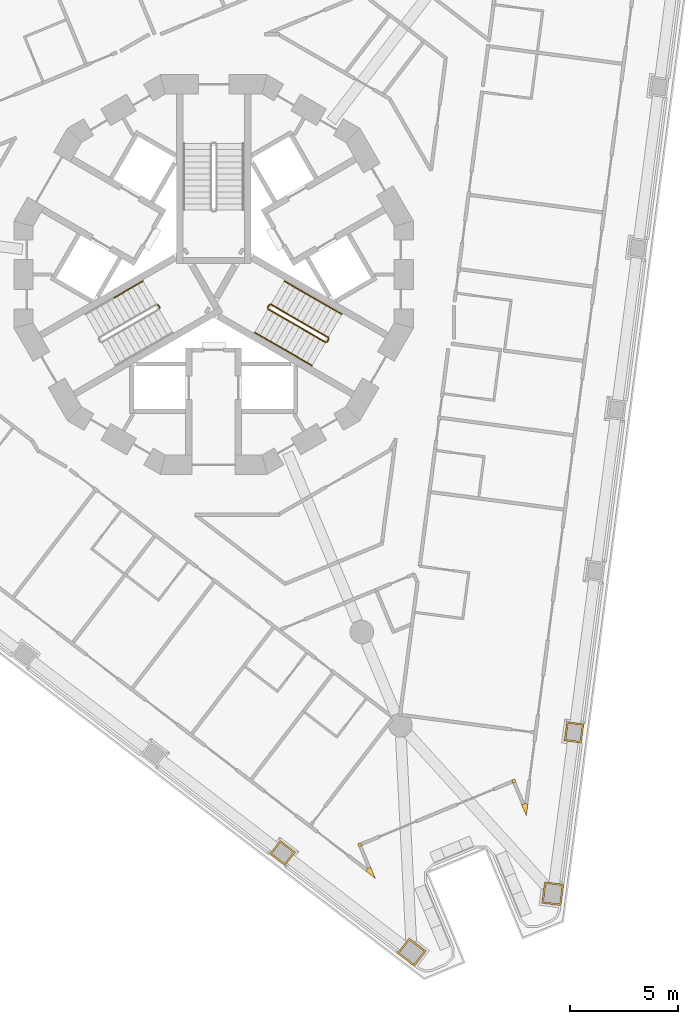
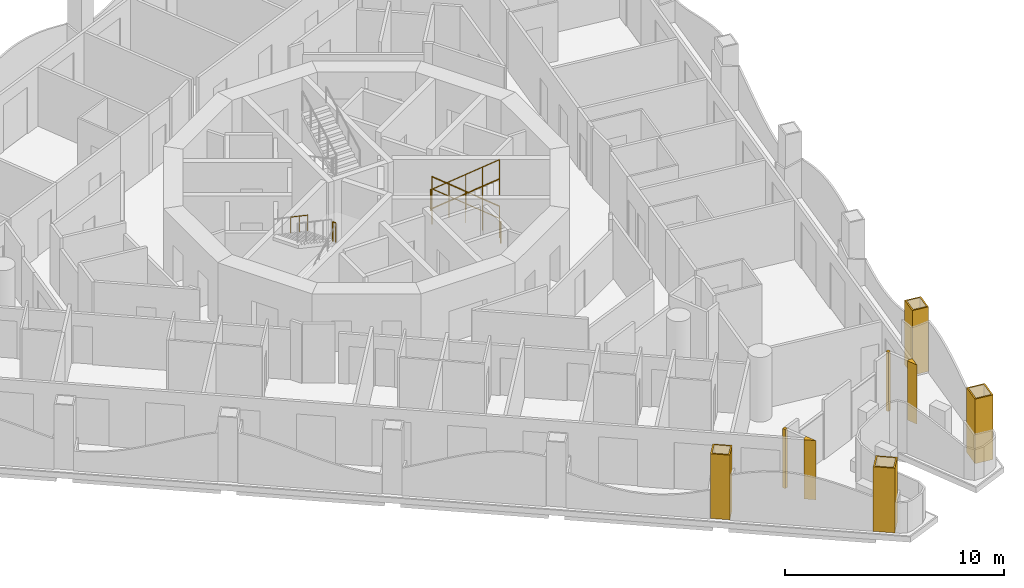
# One storey, part 13 of 17: 10 railings, 8 coverings.
"""IFC4 building model written with IfcOpenShell, lengths in metres."""

import ifcopenshell
import ifcopenshell.guid

model = None  # the IFC model being written
_history = None  # IfcOwnerHistory: only IFC2X3 demands one
_inside = {}  # id of a spatial element -> (the spatial element, [elements in it])
_under = {}  # id of a project, library or spatial element -> (it, [spatial elements below it])
_declared = {}  # id of a project -> (the project, [libraries it declares])
_typed = {}  # id of a type object -> (the type object, [elements of that type])
_made_of = {}  # id of a material, layer set ... -> (it, [elements and type objects made of it])


def new_model(schema):
    """Start an empty IFC model of exactly this schema.

    Asked for "IFC4X3", IfcOpenShell would pick the latest addendum, in which some entities
    have other attributes; the version numbers below select the first issue.
    IFC2X3 requires an IfcOwnerHistory on every rooted entity: one is made here for all.
    """
    global model, _history
    if schema == "IFC4X3":
        model = ifcopenshell.file(schema_version=(4, 3, 0, 0))
    else:
        model = ifcopenshell.file(schema=schema)
    _inside.clear()
    _under.clear()
    _declared.clear()
    _typed.clear()
    _made_of.clear()
    _history = None
    if model.schema == "IFC2X3":
        org = make("IfcOrganization", Name="unknown")
        user = make(
            "IfcPersonAndOrganization",
            ThePerson=make("IfcPerson", FamilyName="unknown"),
            TheOrganization=org,
        )
        app = make(
            "IfcApplication",
            ApplicationDeveloper=org,
            Version="unknown",
            ApplicationFullName="unknown",
            ApplicationIdentifier="unknown",
        )
        _history = make(
            "IfcOwnerHistory",
            OwningUser=user,
            OwningApplication=app,
            ChangeAction="ADDED",
            CreationDate=0,
        )
    return model


def make(cls, **values):
    """One entity of the class cls with the attributes given. An attribute that is None is left unset."""
    return model.create_entity(
        cls, **{name: value for name, value in values.items() if value is not None}
    )


def rooted(cls, **values):
    """An entity with a GlobalId (a new one), such as an element, a storey or a relation."""
    return make(cls, GlobalId=ifcopenshell.guid.new(), OwnerHistory=_history, **values)


def si_unit(unit_type, name, prefix=None):
    """IfcSIUnit, for example si_unit("LENGTHUNIT", "METRE", prefix="MILLI")."""
    return make("IfcSIUnit", UnitType=unit_type, Prefix=prefix, Name=name)


def assignment(units):
    """IfcUnitAssignment: the units of a project."""
    return None if units is None else make("IfcUnitAssignment", Units=units)


def point(xyz):
    """IfcCartesianPoint."""
    return None if xyz is None else make("IfcCartesianPoint", Coordinates=xyz)


def direction(xyz):
    """IfcDirection."""
    return None if xyz is None else make("IfcDirection", DirectionRatios=xyz)


def frame(location, z_axis=None, x_axis=None):
    """IfcAxis2Placement3D, a coordinate frame: its origin and axes. An axis left out is left unset."""
    return make(
        "IfcAxis2Placement3D",
        Location=point(location),
        Axis=direction(z_axis),
        RefDirection=direction(x_axis),
    )


def frame_2d(location, x_axis=None):
    """IfcAxis2Placement2D, a coordinate frame in the plane: its origin and x axis."""
    return make(
        "IfcAxis2Placement2D", Location=point(location), RefDirection=direction(x_axis)
    )


def origin():
    """The frame at (0, 0, 0) with its axes left unset."""
    return frame((0.0, 0.0, 0.0))


def origin_2d():
    """The frame at (0, 0) in the plane with its x axis left unset."""
    return frame_2d((0.0, 0.0))


def place(relative_to, where):
    """IfcLocalPlacement: puts the frame where relative to a parent placement (None: the world)."""
    return make(
        "IfcLocalPlacement", PlacementRelTo=relative_to, RelativePlacement=where
    )


def context(
    kind, dimensions, precision=None, world=None, true_north=None, identifier=None
):
    """IfcGeometricRepresentationContext, for example the 3D "Model" context."""
    return make(
        "IfcGeometricRepresentationContext",
        ContextIdentifier=identifier,
        ContextType=kind,
        CoordinateSpaceDimension=dimensions,
        Precision=precision,
        WorldCoordinateSystem=world,
        TrueNorth=true_north,
    )


def subcontext(parent, identifier, kind, view, scale=None):
    """IfcGeometricRepresentationSubContext, for example "Body" below "Model"."""
    return make(
        "IfcGeometricRepresentationSubContext",
        ContextIdentifier=identifier,
        ContextType=kind,
        ParentContext=parent,
        TargetScale=scale,
        TargetView=view,
    )


def project(units=None, contexts=None):
    """IfcProject with its units and contexts."""
    return rooted(
        "IfcProject",
        Name="project",
        RepresentationContexts=contexts,
        UnitsInContext=assignment(units),
    )


def spatial(cls, under=None, at=None, **own):
    """A site, building, storey or space (cls), placed at a placement, below another one or the project."""
    s = rooted(cls, ObjectPlacement=at, **own)
    if under is not None:
        _under.setdefault(under.id(), (under, []))[1].append(s)
    return s


def polyline(points):
    """IfcPolyline through the points."""
    return make("IfcPolyline", Points=[point(p) for p in points])


def profile(cls, at=None, kind="AREA", **sizes):
    """A parametric profile (cls). Its sizes go by their IFC names, for example OverallWidth=200.0."""
    return make(cls, ProfileType=kind, Position=at, **sizes)


def circle(**sizes):
    """IfcCircleProfileDef."""
    return profile("IfcCircleProfileDef", **sizes)


def outline(outer, holes=None, kind="AREA"):
    """IfcArbitraryClosedProfileDef: a profile drawn as a closed curve; with holes, ...WithVoids."""
    if holes is None:
        return make("IfcArbitraryClosedProfileDef", ProfileType=kind, OuterCurve=outer)
    return make(
        "IfcArbitraryProfileDefWithVoids",
        ProfileType=kind,
        OuterCurve=outer,
        InnerCurves=holes,
    )


def extrude(swept, where, along, depth):
    """IfcExtrudedAreaSolid: the profile swept, set in the frame where, extruded along a direction by depth."""
    return make(
        "IfcExtrudedAreaSolid",
        SweptArea=swept,
        Position=where,
        ExtrudedDirection=direction(along),
        Depth=depth,
    )


def shape(context_of_items, identifier, shape_type, items):
    """IfcShapeRepresentation: the items that make up one representation, for example the "Body"."""
    return make(
        "IfcShapeRepresentation",
        ContextOfItems=context_of_items,
        RepresentationIdentifier=identifier,
        RepresentationType=shape_type,
        Items=items,
    )


def material(Name=None, Category=None):
    """IfcMaterial."""
    return make("IfcMaterial", Name=Name, Category=Category)


def layer(
    of_material, thickness, ventilated=None, Name=None, Category=None, Priority=None
):
    """IfcMaterialLayer: one layer of a wall or slab, of a material (None: an air gap)."""
    return make(
        "IfcMaterialLayer",
        Material=of_material,
        LayerThickness=thickness,
        IsVentilated=ventilated,
        Name=Name,
        Category=Category,
        Priority=Priority,
    )


def layer_set(layers, Name=None):
    """IfcMaterialLayerSet."""
    return make("IfcMaterialLayerSet", MaterialLayers=layers, LayerSetName=Name)


def made_of(thing, what):
    """Note that an element or type object is made of a material, layer set ...; save() writes the relation."""
    if what is not None:
        _made_of.setdefault(what.id(), (what, []))[1].append(thing)
    return thing


def type_object(cls, material=None, **own):
    """A type object (cls), such as IfcWallType, which elements share."""
    return made_of(rooted(cls, **own), material)


def element(
    cls,
    number,
    at=None,
    inside=None,
    cuts=None,
    type_object=None,
    material=None,
    context=None,
    identifier="Body",
    shape_type=None,
    held_by="IfcProductDefinitionShape",
    body=None,
    shapes=None,
    **own,
):
    """One element of the class cls, such as IfcWall. Its Tag is "e" and its number.

    at: its placement. inside: the storey or other place that contains it. cuts: it is an
    opening in that element (IfcRelVoidsElement). A single representation is given by context,
    identifier, shape_type and body (its items); several are given by shapes. held_by: the class
    of the entity that holds the representations. save() writes the other relations.
    """
    e = rooted(cls, Tag="e%d" % number, ObjectPlacement=at, **own)
    if body is not None:
        shapes = [shape(context, identifier, shape_type, body)]
    if shapes is not None:
        e.Representation = make(held_by, Representations=shapes)
    if inside is not None:
        _inside.setdefault(inside.id(), (inside, []))[1].append(e)
    if cuts is not None:
        rooted(
            "IfcRelVoidsElement", RelatingBuildingElement=cuts, RelatedOpeningElement=e
        )
    if type_object is not None:
        _typed.setdefault(type_object.id(), (type_object, []))[1].append(e)
    return made_of(e, material)


def aggregate(whole, parts):
    """IfcRelAggregates: a whole, such as a stair, and the parts it consists of."""
    return rooted("IfcRelAggregates", RelatingObject=whole, RelatedObjects=parts)


def save(model, path):
    """Write the relations noted so far, then the file.

    IfcRelAggregates (storeys below a building ...), IfcRelContainedInSpatialStructure (elements
    in a storey), IfcRelDefinesByType, IfcRelAssociatesMaterial and IfcRelDeclares: one each for
    every whole, place, type object, material and project.
    """
    for whole, parts in _under.values():
        aggregate(whole, parts)
    for where, things in _inside.values():
        rooted(
            "IfcRelContainedInSpatialStructure",
            RelatedElements=things,
            RelatingStructure=where,
        )
    for kind, things in _typed.values():
        rooted("IfcRelDefinesByType", RelatedObjects=things, RelatingType=kind)
    for what, things in _made_of.values():
        rooted("IfcRelAssociatesMaterial", RelatedObjects=things, RelatingMaterial=what)
    for by, libraries in _declared.values():
        rooted("IfcRelDeclares", RelatingContext=by, RelatedDefinitions=libraries)
    model.write(path)


model = new_model("IFC4")

# Units and contexts
model_context = context("Model", 3, precision=1e-05, world=origin(), true_north=direction((0.0, 1.0)))
body_context = subcontext(model_context, "Body", "Model", "MODEL_VIEW")
ifc_project = project(units=[si_unit("LENGTHUNIT", "METRE"), si_unit("AREAUNIT", "SQUARE_METRE"), si_unit("VOLUMEUNIT", "CUBIC_METRE"), si_unit("PLANEANGLEUNIT", "RADIAN"), si_unit("MASSUNIT", "GRAM", prefix="KILO")], contexts=[model_context])

# Site, building, storey
site_placement = place(None, origin())
site = spatial("IfcSite", under=ifc_project, at=site_placement, CompositionType="ELEMENT")
building_placement = place(site_placement, origin())
building = spatial("IfcBuilding", under=site, at=building_placement, Name="Trine Commons Tower", CompositionType="ELEMENT")
storey_placement = place(building_placement, frame((0.0, 0.0, 131.39990234375)))
storey = spatial("IfcBuildingStorey", under=building, at=storey_placement, Name="L33", CompositionType="ELEMENT", Elevation=131.39990234375)

# Coverings
ifc_material_1 = material(Name="Aluminium-framed insulated wall panel", Category="aluminium")
ifc_layer_1 = layer(ifc_material_1, 0.14990234375)
ifc_layer_set_1 = layer_set([ifc_layer_1], Name="Aluminium-framed insulated wall panel")
covering_type_1 = type_object("IfcCoveringType", Name="Glazing corner post, aluminium", PredefinedType="CLADDING", material=ifc_layer_set_1)
covering_1_placement = place(storey_placement, origin())
element("IfcCovering", 1, at=covering_1_placement, inside=storey, type_object=covering_type_1, Name="Glazing corner post 4-09", PredefinedType="CLADDING", context=body_context, shape_type="SweptSolid", body=[
    extrude(outline(polyline([(94.2939453125, 37.89501953125), (94.50830078125, 37.377685546875), (94.581298828125, 37.932861328125), (94.4326171875, 37.952392578125), (94.4326171875, 37.952392578125), (94.2939453125, 37.89501953125)])), origin(), (0.0, 0.0, 1.0), 3.300048828125),
])
covering_2_placement = place(storey_placement, origin())
element("IfcCovering", 2, at=covering_2_placement, inside=storey, type_object=covering_type_1, Name="Glazing corner post 4-10", PredefinedType="CLADDING", context=body_context, shape_type="SweptSolid", body=[
    extrude(outline(polyline([(93.821044921875, 39.03662109375), (93.87841796875, 38.89794921875), (93.87841796875, 38.89794921875), (94.01708984375, 38.955322265625), (93.959716796875, 39.093994140625), (93.821044921875, 39.03662109375)])), origin(), (0.0, 0.0, 1.0), 3.300048828125),
])
covering_3_placement = place(storey_placement, origin())
element("IfcCovering", 3, at=covering_3_placement, inside=storey, type_object=covering_type_1, Name="Glazing corner post 4-11", PredefinedType="CLADDING", context=body_context, shape_type="SweptSolid", body=[
    extrude(outline(polyline([(86.73681640625, 35.93994140625), (86.87548828125, 35.997314453125), (86.818115234375, 36.135986328125), (86.679443359375, 36.07861328125), (86.73681640625, 35.93994140625)])), origin(), (0.0, 0.0, 1.0), 3.300048828125),
])
covering_4_placement = place(storey_placement, origin())
element("IfcCovering", 4, at=covering_4_placement, inside=storey, type_object=covering_type_1, Name="Glazing corner post 4-12", PredefinedType="CLADDING", context=body_context, shape_type="SweptSolid", body=[
    extrude(outline(polyline([(87.06103515625, 34.81787109375), (87.505126953125, 34.47705078125), (87.291015625, 34.994140625), (87.15234375, 34.936767578125), (87.06103515625, 34.81787109375)])), origin(), (0.0, 0.0, 1.0), 3.300048828125),
])
ifc_material_2 = material(Name="Limestone, honed", Category="masonry")
ifc_layer_2 = layer(ifc_material_2, 0.074951171875)
ifc_layer_set_2 = layer_set([ifc_layer_2], Name="Limestone, honed")
covering_type_2 = type_object("IfcCoveringType", Name="Limestone column cladding 75", PredefinedType="CLADDING", material=ifc_layer_set_2)
covering_5_placement = place(storey_placement, origin())
element("IfcCovering", 5, at=covering_5_placement, inside=storey, type_object=covering_type_2, Name="Limestone pier cladding 4-01", PredefinedType="CLADDING", context=body_context, shape_type="SweptSolid", body=[
    extrude(outline(polyline([(89.065673828125, 31.716796875), (88.517578125, 31.002685546875), (89.31103515625, 30.39404296875), (89.85888671875, 31.10791015625), (89.065673828125, 31.716796875)]), holes=[polyline([(89.079345703125, 31.611572265625), (88.622802734375, 31.0166015625), (89.297119140625, 30.499267578125), (89.75390625, 31.09423828125), (89.079345703125, 31.611572265625)])]), origin(), (0.0, 0.0, 1.0), 3.60009765625),
])
covering_6_placement = place(storey_placement, origin())
element("IfcCovering", 6, at=covering_6_placement, inside=storey, type_object=covering_type_2, Name="Limestone pier cladding 4-02", PredefinedType="CLADDING", context=body_context, shape_type="SweptSolid", body=[
    extrude(outline(polyline([(83.08349609375, 36.243896484375), (82.596435546875, 35.609375), (83.310302734375, 35.061279296875), (83.79736328125, 35.696044921875), (83.08349609375, 36.243896484375)]), holes=[polyline([(83.09716796875, 36.138916015625), (82.701416015625, 35.623046875), (83.296630859375, 35.16650390625), (83.6923828125, 35.682373046875), (83.09716796875, 36.138916015625)])]), origin(), (0.0, 0.0, 1.0), 3.60009765625),
])
covering_7_placement = place(storey_placement, origin())
element("IfcCovering", 7, at=covering_7_placement, inside=storey, type_object=covering_type_2, Name="Limestone pier cladding 4-23", PredefinedType="CLADDING", context=body_context, shape_type="SweptSolid", body=[
    extrude(outline(polyline([(97.1787109375, 41.6494140625), (96.385498046875, 41.75390625), (96.26806640625, 40.86181640625), (97.06103515625, 40.757080078125), (97.1787109375, 41.6494140625)]), holes=[polyline([(97.094482421875, 41.5849609375), (96.449951171875, 41.669921875), (96.35205078125, 40.92626953125), (96.99658203125, 40.84130859375), (97.094482421875, 41.5849609375)])]), origin(), (0.0, 0.0, 1.0), 3.60009765625),
])
covering_8_placement = place(storey_placement, origin())
element("IfcCovering", 8, at=covering_8_placement, inside=storey, type_object=covering_type_2, Name="Limestone pier cladding 4-24", PredefinedType="CLADDING", context=body_context, shape_type="SweptSolid", body=[
    extrude(outline(polyline([(96.2490234375, 34.205078125), (95.356689453125, 34.32275390625), (95.226318359375, 33.331298828125), (96.118408203125, 33.213623046875), (96.2490234375, 34.205078125)]), holes=[polyline([(96.164794921875, 34.140625), (95.42138671875, 34.238525390625), (95.310302734375, 33.395751953125), (96.053955078125, 33.2978515625), (96.164794921875, 34.140625)])]), origin(), (0.0, 0.0, 1.0), 3.60009765625),
])

# Railings
ifc_material_3 = material(Name="Stainless steel balustrade", Category="steel")
railing_type_1 = type_object("IfcRailingType", Name="Stair guard, steel balustrade 1100", PredefinedType="GUARDRAIL", material=ifc_material_3)
railing_1_placement = place(storey_placement, frame((77.490966796875, 60.96484375, 1.800048828125)))
element("IfcRailing", 9, at=railing_1_placement, inside=storey, type_object=railing_type_1, Name="L33 ST2B stair guard 2", PredefinedType="GUARDRAIL", context=body_context, shape_type="SweptSolid", body=[
    extrude(circle(Radius=0.02392578125, at=origin_2d()), frame((0.0, 0.0, 1.076171875), z_axis=(-0.501036270542, 0.865426285481, 0.0), x_axis=(-0.865426285481, -0.501036270542, 0.0)), (0.0, 0.0, 1.0), 0.150146484375),
    extrude(circle(Radius=0.02099609375, at=origin_2d()), origin(), (0.0, 0.0, 1.0), 1.052001953125),
    extrude(circle(Radius=0.02099609375, at=origin_2d()), frame((-0.0751953125, 0.1298828125, 0.0)), (0.0, 0.0, 1.0), 1.052001953125),
])
railing_2_placement = place(storey_placement, frame((85.31982421875, 59.572998046875, 0.150146484375)))
element("IfcRailing", 10, at=railing_2_placement, inside=storey, type_object=railing_type_1, Name="L33 ST3B stair guard 1", PredefinedType="GUARDRAIL", context=body_context, shape_type="SweptSolid", body=[
    extrude(circle(Radius=0.02392578125, at=origin_2d()), frame((0.0, 0.0, 1.076171875), z_axis=(-0.76340495495, 0.440743040072, 0.472184759798), x_axis=(-0.499992328818, -0.866029832698, 0.0)), (0.0, 0.0, 1.0), 3.494140625),
    extrude(circle(Radius=0.02099609375, at=origin_2d()), origin(), (0.0, 0.0, 1.0), 1.052001953125),
    extrude(circle(Radius=0.02099609375, at=origin_2d()), frame((-0.6669921875, 0.385009765625, 0.41259765625)), (0.0, 0.0, 1.0), 1.052001953125),
    extrude(circle(Radius=0.02099609375, at=origin_2d()), frame((-1.333740234375, 0.77001953125, 0.824951171875)), (0.0, 0.0, 1.0), 1.052001953125),
    extrude(circle(Radius=0.02099609375, at=origin_2d()), frame((-2.00048828125, 1.155029296875, 1.2373046875)), (0.0, 0.0, 1.0), 1.052001953125),
    extrude(circle(Radius=0.02099609375, at=origin_2d()), frame((-2.66748046875, 1.5400390625, 1.64990234375)), (0.0, 0.0, 1.0), 1.052001953125),
])
railing_3_placement = place(storey_placement, frame((82.584228515625, 61.0947265625, 1.800048828125)))
element("IfcRailing", 11, at=railing_3_placement, inside=storey, type_object=railing_type_1, Name="L33 ST3B stair guard 2", PredefinedType="GUARDRAIL", context=body_context, shape_type="SweptSolid", body=[
    extrude(circle(Radius=0.02392578125, at=origin_2d()), frame((0.0, 0.0, 1.076171875), z_axis=(-0.501036270542, -0.865426285481, 0.0), x_axis=(0.865426285481, -0.501036270542, 0.0)), (0.0, 0.0, 1.0), 0.150146484375),
    extrude(circle(Radius=0.02099609375, at=origin_2d()), origin(), (0.0, 0.0, 1.0), 1.052001953125),
    extrude(circle(Radius=0.02099609375, at=origin_2d()), frame((-0.0751953125, -0.1298828125, 0.0)), (0.0, 0.0, 1.0), 1.052001953125),
])
railing_4_placement = place(storey_placement, frame((82.52734375, 60.896484375, 1.9501953125)))
element("IfcRailing", 12, at=railing_4_placement, inside=storey, type_object=railing_type_1, Name="L33 ST3B stair guard 3", PredefinedType="GUARDRAIL", context=body_context, shape_type="SweptSolid", body=[
    extrude(circle(Radius=0.02392578125, at=origin_2d()), frame((0.0, 0.0, 1.076171875), z_axis=(0.76340495495, -0.440743040072, 0.472184759798), x_axis=(0.499992328818, 0.866029832698, 0.0)), (0.0, 0.0, 1.0), 3.494140625),
    extrude(circle(Radius=0.02099609375, at=origin_2d()), origin(), (0.0, 0.0, 1.0), 1.052001953125),
    extrude(circle(Radius=0.02099609375, at=origin_2d()), frame((0.6669921875, -0.385009765625, 0.41259765625)), (0.0, 0.0, 1.0), 1.052001953125),
    extrude(circle(Radius=0.02099609375, at=origin_2d()), frame((1.333740234375, -0.77001953125, 0.824951171875)), (0.0, 0.0, 1.0), 1.052001953125),
    extrude(circle(Radius=0.02099609375, at=origin_2d()), frame((2.00048828125, -1.155029296875, 1.2373046875)), (0.0, 0.0, 1.0), 1.052001953125),
    extrude(circle(Radius=0.02099609375, at=origin_2d()), frame((2.66748046875, -1.5400390625, 1.64990234375)), (0.0, 0.0, 1.0), 1.052001953125),
])
railing_5_placement = place(storey_placement, frame((85.338134765625, 59.504638671875, 0.0)))
element("IfcRailing", 13, at=railing_5_placement, inside=storey, type_object=railing_type_1, Name="L33 ST3B stair guard 4", PredefinedType="GUARDRAIL", context=body_context, shape_type="SweptSolid", body=[
    extrude(circle(Radius=0.02392578125, at=origin_2d()), frame((0.0, 0.0, 1.076171875), z_axis=(-0.499816412211, -0.866131372301, 0.0), x_axis=(0.866131372301, -0.499816412211, 0.0)), (0.0, 0.0, 1.0), 0.14990234375),
    extrude(circle(Radius=0.02099609375, at=origin_2d()), origin(), (0.0, 0.0, 1.0), 1.052001953125),
    extrude(circle(Radius=0.02099609375, at=origin_2d()), frame((-0.074951171875, -0.1298828125, 0.0)), (0.0, 0.0, 1.0), 1.052001953125),
])
ifc_material_4 = material(Name="Stainless steel handrail", Category="steel")
railing_type_2 = type_object("IfcRailingType", Name="Stair handrail, steel 900", PredefinedType="HANDRAIL", material=ifc_material_4)
railing_6_placement = place(storey_placement, frame((76.72265625, 62.195556640625, 1.9501953125)))
element("IfcRailing", 14, at=railing_6_placement, inside=storey, type_object=railing_type_2, Name="L33 ST2B stair handrail 3", PredefinedType="HANDRAIL", context=body_context, shape_type="SweptSolid", body=[
    extrude(circle(Radius=0.02099609375, at=origin_2d()), frame((0.0, 0.0, 0.87890625), z_axis=(-0.76340495495, -0.440743040072, 0.472184759798), x_axis=(0.499992328818, -0.866029832698, 0.0)), (0.0, 0.0, 1.0), 1.7470703125),
    extrude(circle(Radius=0.01513671875, at=origin_2d()), origin(), (0.0, 0.0, 1.0), 0.85791015625),
    extrude(circle(Radius=0.01513671875, at=origin_2d()), frame((-0.6669921875, -0.385009765625, 0.41259765625)), (0.0, 0.0, 1.0), 0.85791015625),
    extrude(circle(Radius=0.01513671875, at=origin_2d()), frame((-1.333740234375, -0.77001953125, 0.824951171875)), (0.0, 0.0, 1.0), 0.85791015625),
])
for number, where, name in (
    (15, (85.94482421875, 60.655517578125, 0.150146484375), "L33 ST3B stair handrail 1"),
    (16, (84.611083984375, 61.425537109375, 0.97509765625), "L33 ST3B stair handrail 2"),
):
    element("IfcRailing", number, at=place(storey_placement, frame(where)), inside=storey, type_object=railing_type_2, Name=name, PredefinedType="HANDRAIL", context=body_context, shape_type="SweptSolid", body=[
        extrude(circle(Radius=0.02099609375, at=origin_2d()), frame((0.0, 0.0, 0.87890625), z_axis=(-0.76340495495, 0.440743040072, 0.472184759798), x_axis=(-0.499992328818, -0.866029832698, 0.0)), (0.0, 0.0, 1.0), 1.7470703125),
        extrude(circle(Radius=0.01513671875, at=origin_2d()), origin(), (0.0, 0.0, 1.0), 0.85791015625),
        extrude(circle(Radius=0.01513671875, at=origin_2d()), frame((-0.6669921875, 0.385009765625, 0.41259765625)), (0.0, 0.0, 1.0), 0.85791015625),
        extrude(circle(Radius=0.01513671875, at=origin_2d()), frame((-1.333740234375, 0.77001953125, 0.824951171875)), (0.0, 0.0, 1.0), 0.85791015625),
    ])
for number, where, name in (
    (17, (81.90234375, 59.81396484375, 1.9501953125), "L33 ST3B stair handrail 3"),
    (18, (83.236083984375, 59.0439453125, 2.775146484375), "L33 ST3B stair handrail 4"),
):
    element("IfcRailing", number, at=place(storey_placement, frame(where)), inside=storey, type_object=railing_type_2, Name=name, PredefinedType="HANDRAIL", context=body_context, shape_type="SweptSolid", body=[
        extrude(circle(Radius=0.02099609375, at=origin_2d()), frame((0.0, 0.0, 0.87890625), z_axis=(0.76340495495, -0.440743040072, 0.472184759798), x_axis=(0.499992328818, 0.866029832698, 0.0)), (0.0, 0.0, 1.0), 1.7470703125),
        extrude(circle(Radius=0.01513671875, at=origin_2d()), origin(), (0.0, 0.0, 1.0), 0.85791015625),
        extrude(circle(Radius=0.01513671875, at=origin_2d()), frame((0.6669921875, -0.385009765625, 0.41259765625)), (0.0, 0.0, 1.0), 0.85791015625),
        extrude(circle(Radius=0.01513671875, at=origin_2d()), frame((1.333740234375, -0.77001953125, 0.824951171875)), (0.0, 0.0, 1.0), 0.85791015625),
    ])

save(model, "model.ifc")
